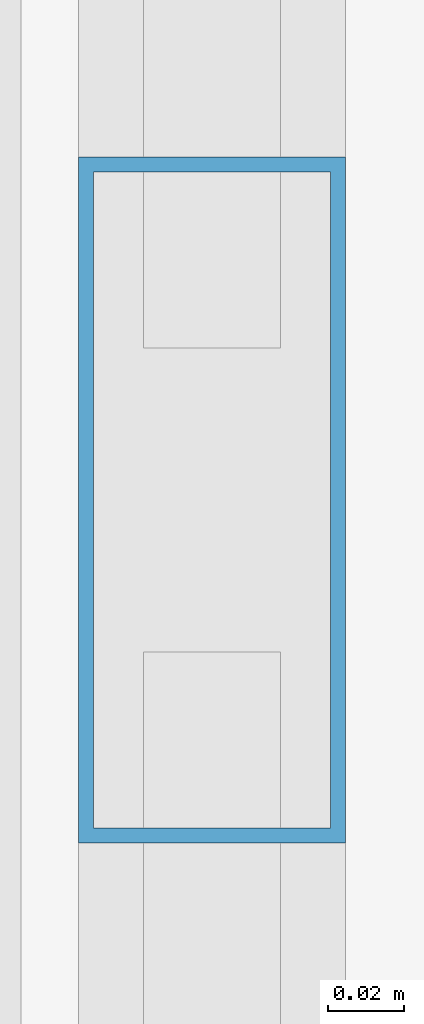
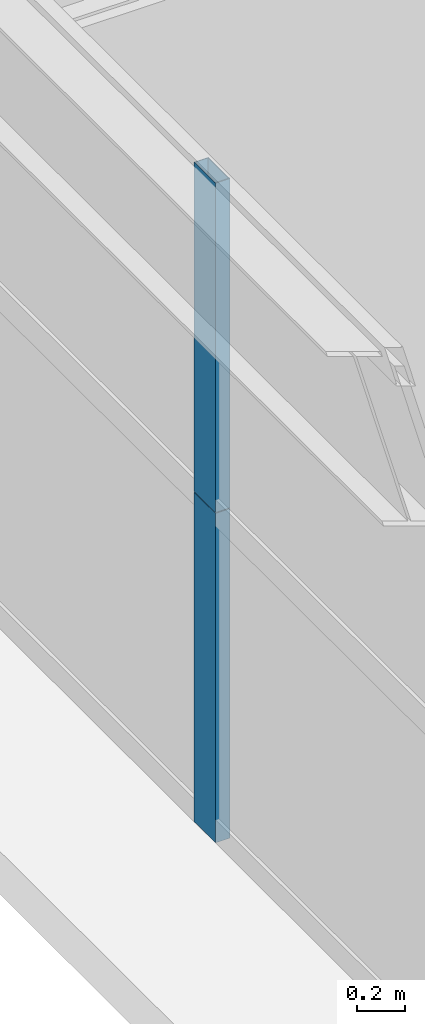
# One storey, part 7 of 38: 2 members, 1 element without a shape of its own.
"""IFC4 building model written with IfcOpenShell, lengths in metres."""

import ifcopenshell
import ifcopenshell.guid

model = None  # the IFC model being written
_history = None  # IfcOwnerHistory: only IFC2X3 demands one
_inside = {}  # id of a spatial element -> (the spatial element, [elements in it])
_under = {}  # id of a project, library or spatial element -> (it, [spatial elements below it])
_declared = {}  # id of a project -> (the project, [libraries it declares])
_typed = {}  # id of a type object -> (the type object, [elements of that type])
_made_of = {}  # id of a material, layer set ... -> (it, [elements and type objects made of it])


def new_model(schema):
    """Start an empty IFC model of exactly this schema.

    Asked for "IFC4X3", IfcOpenShell would pick the latest addendum, in which some entities
    have other attributes; the version numbers below select the first issue.
    IFC2X3 requires an IfcOwnerHistory on every rooted entity: one is made here for all.
    """
    global model, _history
    if schema == "IFC4X3":
        model = ifcopenshell.file(schema_version=(4, 3, 0, 0))
    else:
        model = ifcopenshell.file(schema=schema)
    _inside.clear()
    _under.clear()
    _declared.clear()
    _typed.clear()
    _made_of.clear()
    _history = None
    if model.schema == "IFC2X3":
        org = make("IfcOrganization", Name="unknown")
        user = make(
            "IfcPersonAndOrganization",
            ThePerson=make("IfcPerson", FamilyName="unknown"),
            TheOrganization=org,
        )
        app = make(
            "IfcApplication",
            ApplicationDeveloper=org,
            Version="unknown",
            ApplicationFullName="unknown",
            ApplicationIdentifier="unknown",
        )
        _history = make(
            "IfcOwnerHistory",
            OwningUser=user,
            OwningApplication=app,
            ChangeAction="ADDED",
            CreationDate=0,
        )
    return model


def make(cls, **values):
    """One entity of the class cls with the attributes given. An attribute that is None is left unset."""
    return model.create_entity(
        cls, **{name: value for name, value in values.items() if value is not None}
    )


def rooted(cls, **values):
    """An entity with a GlobalId (a new one), such as an element, a storey or a relation."""
    return make(cls, GlobalId=ifcopenshell.guid.new(), OwnerHistory=_history, **values)


def si_unit(unit_type, name, prefix=None):
    """IfcSIUnit, for example si_unit("LENGTHUNIT", "METRE", prefix="MILLI")."""
    return make("IfcSIUnit", UnitType=unit_type, Prefix=prefix, Name=name)


def assignment(units):
    """IfcUnitAssignment: the units of a project."""
    return None if units is None else make("IfcUnitAssignment", Units=units)


def point(xyz):
    """IfcCartesianPoint."""
    return None if xyz is None else make("IfcCartesianPoint", Coordinates=xyz)


def direction(xyz):
    """IfcDirection."""
    return None if xyz is None else make("IfcDirection", DirectionRatios=xyz)


def frame(location, z_axis=None, x_axis=None):
    """IfcAxis2Placement3D, a coordinate frame: its origin and axes. An axis left out is left unset."""
    return make(
        "IfcAxis2Placement3D",
        Location=point(location),
        Axis=direction(z_axis),
        RefDirection=direction(x_axis),
    )


def frame_2d(location, x_axis=None):
    """IfcAxis2Placement2D, a coordinate frame in the plane: its origin and x axis."""
    return make(
        "IfcAxis2Placement2D", Location=point(location), RefDirection=direction(x_axis)
    )


def origin():
    """The frame at (0, 0, 0) with its axes left unset."""
    return frame((0.0, 0.0, 0.0))


def origin_2d():
    """The frame at (0, 0) in the plane with its x axis left unset."""
    return frame_2d((0.0, 0.0))


def place(relative_to, where):
    """IfcLocalPlacement: puts the frame where relative to a parent placement (None: the world)."""
    return make(
        "IfcLocalPlacement", PlacementRelTo=relative_to, RelativePlacement=where
    )


def context(
    kind, dimensions, precision=None, world=None, true_north=None, identifier=None
):
    """IfcGeometricRepresentationContext, for example the 3D "Model" context."""
    return make(
        "IfcGeometricRepresentationContext",
        ContextIdentifier=identifier,
        ContextType=kind,
        CoordinateSpaceDimension=dimensions,
        Precision=precision,
        WorldCoordinateSystem=world,
        TrueNorth=true_north,
    )


def subcontext(parent, identifier, kind, view, scale=None):
    """IfcGeometricRepresentationSubContext, for example "Body" below "Model"."""
    return make(
        "IfcGeometricRepresentationSubContext",
        ContextIdentifier=identifier,
        ContextType=kind,
        ParentContext=parent,
        TargetScale=scale,
        TargetView=view,
    )


def project(units=None, contexts=None):
    """IfcProject with its units and contexts."""
    return rooted(
        "IfcProject",
        Name="project",
        RepresentationContexts=contexts,
        UnitsInContext=assignment(units),
    )


def spatial(cls, under=None, at=None, **own):
    """A site, building, storey or space (cls), placed at a placement, below another one or the project."""
    s = rooted(cls, ObjectPlacement=at, **own)
    if under is not None:
        _under.setdefault(under.id(), (under, []))[1].append(s)
    return s


def profile(cls, at=None, kind="AREA", **sizes):
    """A parametric profile (cls). Its sizes go by their IFC names, for example OverallWidth=200.0."""
    return make(cls, ProfileType=kind, Position=at, **sizes)


def hollow_rectangle(**sizes):
    """IfcRectangleHollowProfileDef."""
    return profile("IfcRectangleHollowProfileDef", **sizes)


def extrude(swept, where, along, depth):
    """IfcExtrudedAreaSolid: the profile swept, set in the frame where, extruded along a direction by depth."""
    return make(
        "IfcExtrudedAreaSolid",
        SweptArea=swept,
        Position=where,
        ExtrudedDirection=direction(along),
        Depth=depth,
    )


def shape(context_of_items, identifier, shape_type, items):
    """IfcShapeRepresentation: the items that make up one representation, for example the "Body"."""
    return make(
        "IfcShapeRepresentation",
        ContextOfItems=context_of_items,
        RepresentationIdentifier=identifier,
        RepresentationType=shape_type,
        Items=items,
    )


def source(mapping_origin, context_of_items, identifier, shape_type, items):
    """IfcRepresentationMap: a shape defined once, which mapped items show again and again."""
    return make(
        "IfcRepresentationMap",
        MappingOrigin=mapping_origin,
        MappedRepresentation=shape(context_of_items, identifier, shape_type, items),
    )


def transform(
    local_origin,
    x_axis=None,
    y_axis=None,
    z_axis=None,
    scale=None,
    scale2=None,
    scale3=None,
    uniform=True,
):
    """IfcCartesianTransformationOperator3D, or its non-uniform kind. x_axis, y_axis, z_axis: its Axis1, 2, 3."""
    if uniform:
        return make(
            "IfcCartesianTransformationOperator3D",
            Axis1=direction(x_axis),
            Axis2=direction(y_axis),
            LocalOrigin=point(local_origin),
            Scale=scale,
            Axis3=direction(z_axis),
        )
    return make(
        "IfcCartesianTransformationOperator3DnonUniform",
        Axis1=direction(x_axis),
        Axis2=direction(y_axis),
        LocalOrigin=point(local_origin),
        Scale=scale,
        Axis3=direction(z_axis),
        Scale2=scale2,
        Scale3=scale3,
    )


def mapped(mapping_source, mapping_target):
    """IfcMappedItem: shows the shape of a source again, moved by a transform."""
    return make(
        "IfcMappedItem", MappingSource=mapping_source, MappingTarget=mapping_target
    )


def material(Name=None, Category=None):
    """IfcMaterial."""
    return make("IfcMaterial", Name=Name, Category=Category)


def layer(
    of_material, thickness, ventilated=None, Name=None, Category=None, Priority=None
):
    """IfcMaterialLayer: one layer of a wall or slab, of a material (None: an air gap)."""
    return make(
        "IfcMaterialLayer",
        Material=of_material,
        LayerThickness=thickness,
        IsVentilated=ventilated,
        Name=Name,
        Category=Category,
        Priority=Priority,
    )


def layer_set(layers, Name=None):
    """IfcMaterialLayerSet."""
    return make("IfcMaterialLayerSet", MaterialLayers=layers, LayerSetName=Name)


def material_profile(
    of_material, cross_section, Name=None, Category=None, Priority=None
):
    """IfcMaterialProfile: a cross section and its material."""
    return make(
        "IfcMaterialProfile",
        Name=Name,
        Material=of_material,
        Profile=cross_section,
        Priority=Priority,
        Category=Category,
    )


def profile_set(profiles, Name=None, composite=None):
    """IfcMaterialProfileSet."""
    return make(
        "IfcMaterialProfileSet",
        Name=Name,
        MaterialProfiles=profiles,
        CompositeProfile=composite,
    )


def made_of(thing, what):
    """Note that an element or type object is made of a material, layer set ...; save() writes the relation."""
    if what is not None:
        _made_of.setdefault(what.id(), (what, []))[1].append(thing)
    return thing


def type_object(cls, material=None, **own):
    """A type object (cls), such as IfcWallType, which elements share."""
    return made_of(rooted(cls, **own), material)


def element(
    cls,
    number,
    at=None,
    inside=None,
    cuts=None,
    type_object=None,
    material=None,
    context=None,
    identifier="Body",
    shape_type=None,
    held_by="IfcProductDefinitionShape",
    body=None,
    shapes=None,
    **own,
):
    """One element of the class cls, such as IfcWall. Its Tag is "e" and its number.

    at: its placement. inside: the storey or other place that contains it. cuts: it is an
    opening in that element (IfcRelVoidsElement). A single representation is given by context,
    identifier, shape_type and body (its items); several are given by shapes. held_by: the class
    of the entity that holds the representations. save() writes the other relations.
    """
    e = rooted(cls, Tag="e%d" % number, ObjectPlacement=at, **own)
    if body is not None:
        shapes = [shape(context, identifier, shape_type, body)]
    if shapes is not None:
        e.Representation = make(held_by, Representations=shapes)
    if inside is not None:
        _inside.setdefault(inside.id(), (inside, []))[1].append(e)
    if cuts is not None:
        rooted(
            "IfcRelVoidsElement", RelatingBuildingElement=cuts, RelatedOpeningElement=e
        )
    if type_object is not None:
        _typed.setdefault(type_object.id(), (type_object, []))[1].append(e)
    return made_of(e, material)


def aggregate(whole, parts):
    """IfcRelAggregates: a whole, such as a stair, and the parts it consists of."""
    return rooted("IfcRelAggregates", RelatingObject=whole, RelatedObjects=parts)


def save(model, path):
    """Write the relations noted so far, then the file.

    IfcRelAggregates (storeys below a building ...), IfcRelContainedInSpatialStructure (elements
    in a storey), IfcRelDefinesByType, IfcRelAssociatesMaterial and IfcRelDeclares: one each for
    every whole, place, type object, material and project.
    """
    for whole, parts in _under.values():
        aggregate(whole, parts)
    for where, things in _inside.values():
        rooted(
            "IfcRelContainedInSpatialStructure",
            RelatedElements=things,
            RelatingStructure=where,
        )
    for kind, things in _typed.values():
        rooted("IfcRelDefinesByType", RelatedObjects=things, RelatingType=kind)
    for what, things in _made_of.values():
        rooted("IfcRelAssociatesMaterial", RelatedObjects=things, RelatingMaterial=what)
    for by, libraries in _declared.values():
        rooted("IfcRelDeclares", RelatingContext=by, RelatedDefinitions=libraries)
    model.write(path)


model = new_model("IFC4")

# Units and contexts
model_context = context("Model", 3, precision=1e-05, world=origin(), true_north=direction((0.0, 1.0)))
body_context = subcontext(model_context, "Body", "Model", "MODEL_VIEW")
ifc_project = project(units=[si_unit("LENGTHUNIT", "METRE"), si_unit("AREAUNIT", "SQUARE_METRE"), si_unit("VOLUMEUNIT", "CUBIC_METRE"), si_unit("PLANEANGLEUNIT", "RADIAN"), si_unit("MASSUNIT", "GRAM", prefix="KILO"), si_unit("THERMODYNAMICTEMPERATUREUNIT", "KELVIN"), si_unit("POWERUNIT", "WATT")], contexts=[model_context])

# Site, building, storey
site_placement = place(None, origin())
site = spatial("IfcSite", under=ifc_project, at=site_placement, CompositionType="ELEMENT")
building_placement = place(site_placement, origin())
building = spatial("IfcBuilding", under=site, at=building_placement, Name="Yuzanri Waterfront Tower", CompositionType="ELEMENT")
storey_placement = place(building_placement, frame((0.0, 0.0, 90.199951171875)))
storey = spatial("IfcBuildingStorey", under=building, at=storey_placement, Name="L23", CompositionType="ELEMENT", Elevation=90.199951171875)

# Curtain wall, members
ifc_material_1 = material(Name="Anodized Architectural Bronze", Category="metal")
ifc_layer = layer(ifc_material_1, 0.159912109375)
ifc_layer_set = layer_set([ifc_layer], Name="Anodized Architectural Bronze")
curtain_wall_type = type_object("IfcCurtainWallType", Name="Anodized Bronze Hotel Upper-Tier Solar-Control Unitized Curtain Wall 7800", PredefinedType="NOTDEFINED", material=ifc_layer_set)
curtain_wall_placement = place(storey_placement, origin())
curtain_wall = element("IfcCurtainWall", 1, at=curtain_wall_placement, inside=storey, type_object=curtain_wall_type, Name="L23 Curtain Wall CW-L23-WL", PredefinedType="NOTDEFINED")
ifc_material_2 = material(Name="Anodized Architectural Bronze", Category="metal")
ifc_material_profile = material_profile(ifc_material_2, hollow_rectangle(XDim=0.070068359375, YDim=0.179931640625, WallThickness=0.00390625, at=origin_2d()), Name="CWM 70x180")
ifc_profile_set = profile_set([ifc_material_profile], Name="Anodized Architectural Bronze")
member_type = type_object("IfcMemberType", Name="Anodized Bronze Standard Curtain-Wall Mullion 70x180", PredefinedType="MULLION", material=ifc_profile_set)
shared_shape = source(origin(), body_context, "Body", "SweptSolid", [
    extrude(hollow_rectangle(XDim=0.070068359375, YDim=0.179931640625, WallThickness=0.00390625, at=origin_2d()), origin(), (0.0, 0.0, 1.0), 1.68798828125),
])
member_1_placement = place(storey_placement, frame((13.550048828125, 17.449951171875, 0.0), z_axis=(0.0, 0.0, 1.0), x_axis=(1.0, 0.0, 0.0)))
member_1 = element("IfcMember", 2, at=member_1_placement, type_object=member_type, Name="CW-L23-WL Lower Mullion 01", PredefinedType="MULLION", context=body_context, shape_type="MappedRepresentation", body=[
    mapped(shared_shape, transform((0.0, 0.0, 0.0), scale=1.0)),
])
member_2_placement = place(storey_placement, frame((13.550048828125, 17.449951171875, 1.692138671875), z_axis=(0.0, 0.0, 1.0), x_axis=(1.0, 0.0, 0.0)))
member_2 = element("IfcMember", 3, at=member_2_placement, type_object=member_type, Name="CW-L23-WL Upper Mullion 01", PredefinedType="MULLION", context=body_context, shape_type="MappedRepresentation", body=[
    mapped(shared_shape, transform((0.0, 0.0, 0.0), scale=1.0)),
])
aggregate(curtain_wall, [member_1, member_2])

save(model, "model.ifc")
